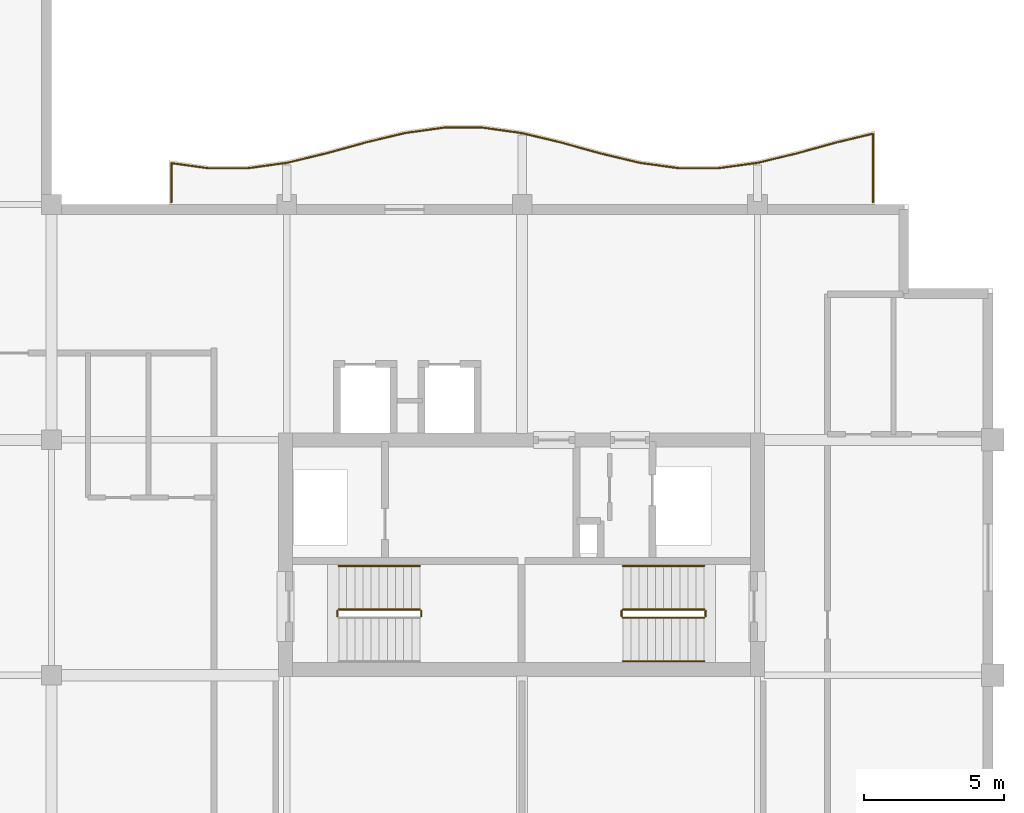
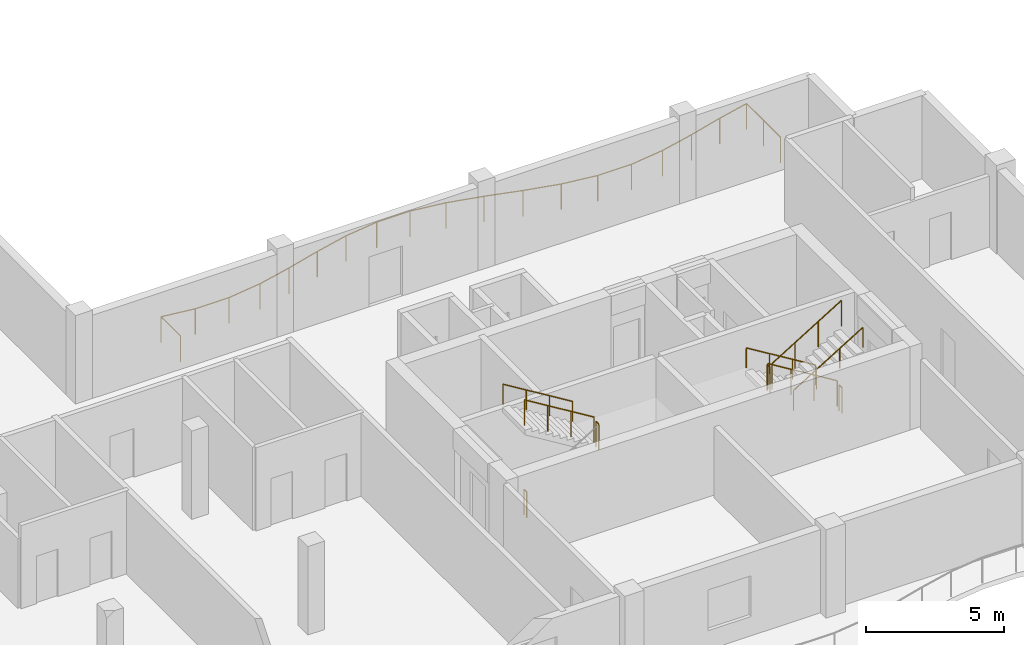
# One storey, part 9 of 10: 11 railings.
"""IFC4 building model written with IfcOpenShell, lengths in metres."""

from ifc_helpers import new_model, si_unit, direction, frame, origin, origin_2d, place, context, subcontext, project, spatial, circle, extrude, material, type_object, element, save


model = new_model("IFC4")

# Units and contexts
model_context = context("Model", 3, precision=1e-05, world=origin(), true_north=direction((0.0, 1.0)))
body_context = subcontext(model_context, "Body", "Model", "MODEL_VIEW")
ifc_project = project(units=[si_unit("LENGTHUNIT", "METRE"), si_unit("AREAUNIT", "SQUARE_METRE"), si_unit("VOLUMEUNIT", "CUBIC_METRE"), si_unit("PLANEANGLEUNIT", "RADIAN"), si_unit("MASSUNIT", "GRAM", prefix="KILO")], contexts=[model_context])

# Site, building, storey
site_placement = place(None, origin())
site = spatial("IfcSite", under=ifc_project, at=site_placement, CompositionType="ELEMENT")
building_placement = place(site_placement, origin())
building = spatial("IfcBuilding", under=site, at=building_placement, Name="Koriwani Terraces Tower", CompositionType="ELEMENT")
storey_placement = place(building_placement, frame((0.0, 0.0, 304.699951171875)))
storey = spatial("IfcBuildingStorey", under=building, at=storey_placement, Name="L75", CompositionType="ELEMENT", Elevation=304.699951171875)

# Railings
ifc_material = material(Name="Steel ASTM A572 Grade 50", Category="steel")
railing_type_1 = type_object("IfcRailingType", Name="GUARD_BALUSTRADE_1150", PredefinedType="BALUSTRADE", material=ifc_material)
railing_1_placement = place(storey_placement, frame((62.919921875, 33.679931640625, 0.0)))
element("IfcRailing", 1, at=railing_1_placement, inside=storey, type_object=railing_type_1, Name="L75 Balcony Perimeter Safety Balustrade (NE)", PredefinedType="BALUSTRADE", context=body_context, shape_type="SweptSolid", body=[
    extrude(circle(Radius=0.02392578125, at=origin_2d()), frame((0.0, 0.0, 1.1259765625), z_axis=(0.0, 1.0, 0.0), x_axis=(-1.0, 0.0, 0.0)), (0.0, 0.0, 1.0), 2.448974609375),
    extrude(circle(Radius=0.02392578125, at=origin_2d()), frame((0.0, 2.448974609375, 1.1259765625), z_axis=(-0.972335887086, -0.233587077307, 0.0), x_axis=(0.233587077307, -0.972335887086, 0.0)), (0.0, 0.0, 1.0), 1.336669921875),
    extrude(circle(Radius=0.02392578125, at=origin_2d()), frame((-1.2998046875, 2.13671875, 1.1259765625), z_axis=(-0.963650193341, -0.26716718525, 0.0), x_axis=(0.26716718525, -0.963650193341, 0.0)), (0.0, 0.0, 1.0), 1.452880859375),
    extrude(circle(Radius=0.02392578125, at=origin_2d()), frame((-2.699951171875, 1.74853515625, 1.1259765625), z_axis=(-0.972404167631, -0.233302667738, 0.0), x_axis=(0.233302667738, -0.972404167631, 0.0)), (0.0, 0.0, 1.0), 1.445068359375),
    extrude(circle(Radius=0.02392578125, at=origin_2d()), frame((-4.105224609375, 1.411376953125, 1.1259765625), z_axis=(-0.990531206111, -0.137287762455, 0.0), x_axis=(0.137287762455, -0.990531206111, 0.0)), (0.0, 0.0, 1.0), 1.422607421875),
    extrude(circle(Radius=0.02392578125, at=origin_2d()), frame((-5.514404296875, 1.216064453125, 1.1259765625), z_axis=(-1.0, 0.0, 0.0), x_axis=(0.0, -1.0, 0.0)), (0.0, 0.0, 1.0), 1.4111328125),
    extrude(circle(Radius=0.02392578125, at=origin_2d()), frame((-6.925537109375, 1.216064453125, 1.1259765625), z_axis=(-0.990531206111, 0.137287762455, 0.0), x_axis=(-0.137287762455, -0.990531206111, 0.0)), (0.0, 0.0, 1.0), 1.422607421875),
    extrude(circle(Radius=0.02392578125, at=origin_2d()), frame((-8.334716796875, 1.411376953125, 1.1259765625), z_axis=(-0.972404167631, 0.233302667738, 0.0), x_axis=(-0.233302667738, -0.972404167631, 0.0)), (0.0, 0.0, 1.0), 1.445068359375),
    extrude(circle(Radius=0.02392578125, at=origin_2d()), frame((-9.739990234375, 1.74853515625, 1.1259765625), z_axis=(-0.963638196753, 0.267210452187, 0.0), x_axis=(-0.267210452187, -0.963638196753, 0.0)), (0.0, 0.0, 1.0), 1.45263671875),
    extrude(circle(Radius=0.02392578125, at=origin_2d()), frame((-11.139892578125, 2.13671875, 1.1259765625), z_axis=(-0.972362581689, 0.23347592966, 0.0), x_axis=(-0.23347592966, -0.972362581689, 0.0)), (0.0, 0.0, 1.0), 1.4345703125),
    extrude(circle(Radius=0.02392578125, at=origin_2d()), frame((-12.534912109375, 2.4716796875, 1.1259765625), z_axis=(-0.990518583157, 0.137378806302, 0.0), x_axis=(-0.137378806302, -0.990518583157, 0.0)), (0.0, 0.0, 1.0), 1.404052734375),
    extrude(circle(Radius=0.02392578125, at=origin_2d()), frame((-13.925537109375, 2.66455078125, 1.1259765625), z_axis=(-1.0, 0.0, 0.0), x_axis=(0.0, -1.0, 0.0)), (0.0, 0.0, 1.0), 1.388916015625),
    extrude(circle(Radius=0.02392578125, at=origin_2d()), frame((-15.314453125, 2.66455078125, 1.1259765625), z_axis=(-0.990518583157, -0.137378806302, 0.0), x_axis=(0.137378806302, -0.990518583157, 0.0)), (0.0, 0.0, 1.0), 1.404052734375),
    extrude(circle(Radius=0.02392578125, at=origin_2d()), frame((-16.705078125, 2.4716796875, 1.1259765625), z_axis=(-0.972353303141, -0.233514568862, 0.0), x_axis=(0.233514568862, -0.972353303141, 0.0)), (0.0, 0.0, 1.0), 1.434326171875),
    extrude(circle(Radius=0.02392578125, at=origin_2d()), frame((-18.099853515625, 2.13671875, 1.1259765625), z_axis=(-0.963650193341, -0.26716718525, 0.0), x_axis=(0.26716718525, -0.963650193341, 0.0)), (0.0, 0.0, 1.0), 1.452880859375),
    extrude(circle(Radius=0.02392578125, at=origin_2d()), frame((-19.5, 1.74853515625, 1.1259765625), z_axis=(-0.972394970075, -0.233340999769, 0.0), x_axis=(0.233340999769, -0.972394970075, 0.0)), (0.0, 0.0, 1.0), 1.44482421875),
    extrude(circle(Radius=0.02392578125, at=origin_2d()), frame((-20.905029296875, 1.411376953125, 1.1259765625), z_axis=(-0.990534439774, -0.137264429555, 0.0), x_axis=(0.137264429555, -0.990534439774, 0.0)), (0.0, 0.0, 1.0), 1.4228515625),
    extrude(circle(Radius=0.02392578125, at=origin_2d()), frame((-22.314453125, 1.216064453125, 1.1259765625), z_axis=(-1.0, 0.0, 0.0), x_axis=(0.0, -1.0, 0.0)), (0.0, 0.0, 1.0), 1.410888671875),
    extrude(circle(Radius=0.02392578125, at=origin_2d()), frame((-23.725341796875, 1.216064453125, 1.1259765625), z_axis=(-0.99056523946, 0.137041987632, 0.0), x_axis=(-0.137041987632, -0.99056523946, 0.0)), (0.0, 0.0, 1.0), 1.3271484375),
    extrude(circle(Radius=0.02392578125, at=origin_2d()), frame((-25.0400390625, 1.39794921875, 1.1259765625), z_axis=(0.0, -1.0, 0.0), x_axis=(1.0, 0.0, 0.0)), (0.0, 0.0, 1.0), 1.39794921875),
    extrude(circle(Radius=0.02099609375, at=origin_2d()), origin(), (0.0, 0.0, 1.0), 1.101806640625),
    extrude(circle(Radius=0.02099609375, at=origin_2d()), frame((0.0, 1.224609375, 0.0)), (0.0, 0.0, 1.0), 1.101806640625),
    extrude(circle(Radius=0.02099609375, at=origin_2d()), frame((0.0, 2.448974609375, 0.0)), (0.0, 0.0, 1.0), 1.101806640625),
    extrude(circle(Radius=0.02099609375, at=origin_2d()), frame((-1.2998046875, 2.13671875, 0.0)), (0.0, 0.0, 1.0), 1.101806640625),
    extrude(circle(Radius=0.02099609375, at=origin_2d()), frame((-2.699951171875, 1.74853515625, 0.0)), (0.0, 0.0, 1.0), 1.101806640625),
    extrude(circle(Radius=0.02099609375, at=origin_2d()), frame((-4.105224609375, 1.411376953125, 0.0)), (0.0, 0.0, 1.0), 1.101806640625),
    extrude(circle(Radius=0.02099609375, at=origin_2d()), frame((-5.514404296875, 1.216064453125, 0.0)), (0.0, 0.0, 1.0), 1.101806640625),
    extrude(circle(Radius=0.02099609375, at=origin_2d()), frame((-6.925537109375, 1.216064453125, 0.0)), (0.0, 0.0, 1.0), 1.101806640625),
    extrude(circle(Radius=0.02099609375, at=origin_2d()), frame((-8.334716796875, 1.411376953125, 0.0)), (0.0, 0.0, 1.0), 1.101806640625),
    extrude(circle(Radius=0.02099609375, at=origin_2d()), frame((-9.739990234375, 1.74853515625, 0.0)), (0.0, 0.0, 1.0), 1.101806640625),
    extrude(circle(Radius=0.02099609375, at=origin_2d()), frame((-11.139892578125, 2.13671875, 0.0)), (0.0, 0.0, 1.0), 1.101806640625),
    extrude(circle(Radius=0.02099609375, at=origin_2d()), frame((-12.534912109375, 2.4716796875, 0.0)), (0.0, 0.0, 1.0), 1.101806640625),
    extrude(circle(Radius=0.02099609375, at=origin_2d()), frame((-13.925537109375, 2.66455078125, 0.0)), (0.0, 0.0, 1.0), 1.101806640625),
    extrude(circle(Radius=0.02099609375, at=origin_2d()), frame((-15.314453125, 2.66455078125, 0.0)), (0.0, 0.0, 1.0), 1.101806640625),
    extrude(circle(Radius=0.02099609375, at=origin_2d()), frame((-16.705078125, 2.4716796875, 0.0)), (0.0, 0.0, 1.0), 1.101806640625),
    extrude(circle(Radius=0.02099609375, at=origin_2d()), frame((-18.099853515625, 2.13671875, 0.0)), (0.0, 0.0, 1.0), 1.101806640625),
    extrude(circle(Radius=0.02099609375, at=origin_2d()), frame((-19.5, 1.74853515625, 0.0)), (0.0, 0.0, 1.0), 1.101806640625),
    extrude(circle(Radius=0.02099609375, at=origin_2d()), frame((-20.905029296875, 1.411376953125, 0.0)), (0.0, 0.0, 1.0), 1.101806640625),
    extrude(circle(Radius=0.02099609375, at=origin_2d()), frame((-22.314453125, 1.216064453125, 0.0)), (0.0, 0.0, 1.0), 1.101806640625),
    extrude(circle(Radius=0.02099609375, at=origin_2d()), frame((-23.725341796875, 1.216064453125, 0.0)), (0.0, 0.0, 1.0), 1.101806640625),
    extrude(circle(Radius=0.02099609375, at=origin_2d()), frame((-25.0400390625, 1.39794921875, 0.0)), (0.0, 0.0, 1.0), 1.101806640625),
    extrude(circle(Radius=0.02099609375, at=origin_2d()), frame((-25.0400390625, 0.0, 0.0)), (0.0, 0.0, 1.0), 1.101806640625),
])
railing_type_2 = type_object("IfcRailingType", Name="GUARD_STAIR_WELL_1120", PredefinedType="GUARDRAIL", material=ifc_material)
railing_2_placement = place(storey_placement, frame((46.800048828125, 18.89990234375, 1.949951171875)))
element("IfcRailing", 2, at=railing_2_placement, inside=storey, type_object=railing_type_2, Name="L75 ST-E1 stair guard 2", PredefinedType="GUARDRAIL", context=body_context, shape_type="SweptSolid", body=[
    extrude(circle(Radius=0.02392578125, at=origin_2d()), frame((0.0, 0.0, 1.1259765625), z_axis=(0.0, 1.0, 0.0), x_axis=(-1.0, 0.0, 0.0)), (0.0, 0.0, 1.0), 0.2001953125),
    extrude(circle(Radius=0.02099609375, at=origin_2d()), origin(), (0.0, 0.0, 1.0), 1.101806640625),
    extrude(circle(Radius=0.02099609375, at=origin_2d()), frame((0.0, 0.2001953125, 0.0)), (0.0, 0.0, 1.0), 1.101806640625),
])
railing_3_placement = place(storey_placement, frame((46.75, 19.14990234375, 2.12744140625)))
element("IfcRailing", 3, at=railing_3_placement, inside=storey, type_object=railing_type_2, Name="L75 ST-E1 stair guard 3", PredefinedType="GUARDRAIL", context=body_context, shape_type="SweptSolid", body=[
    extrude(circle(Radius=0.02392578125, at=origin_2d()), frame((0.0, 0.0, 1.1259765625), z_axis=(-0.853210801645, 0.0, 0.521566225858), x_axis=(0.0, -1.0, 0.0)), (0.0, 0.0, 1.0), 3.39892578125),
    extrude(circle(Radius=0.02099609375, at=origin_2d()), origin(), (0.0, 0.0, 1.0), 1.101806640625),
    extrude(circle(Radius=0.02099609375, at=origin_2d()), frame((-0.966552734375, 0.0, 0.5908203125)), (0.0, 0.0, 1.0), 1.101806640625),
    extrude(circle(Radius=0.02099609375, at=origin_2d()), frame((-1.933349609375, 0.0, 1.181884765625)), (0.0, 0.0, 1.0), 1.101806640625),
    extrude(circle(Radius=0.02099609375, at=origin_2d()), frame((-2.89990234375, 0.0, 1.772705078125)), (0.0, 0.0, 1.0), 1.101806640625),
])
railing_4_placement = place(storey_placement, frame((43.800048828125, 18.89990234375, 0.0)))
element("IfcRailing", 4, at=railing_4_placement, inside=storey, type_object=railing_type_2, Name="L75 ST-E1 stair guard 4", PredefinedType="GUARDRAIL", context=body_context, shape_type="SweptSolid", body=[
    extrude(circle(Radius=0.02392578125, at=origin_2d()), frame((0.0, 0.0, 1.1259765625), z_axis=(0.0, 1.0, 0.0), x_axis=(-1.0, 0.0, 0.0)), (0.0, 0.0, 1.0), 0.2001953125),
    extrude(circle(Radius=0.02099609375, at=origin_2d()), origin(), (0.0, 0.0, 1.0), 1.101806640625),
    extrude(circle(Radius=0.02099609375, at=origin_2d()), frame((0.0, 0.2001953125, 0.0)), (0.0, 0.0, 1.0), 1.101806640625),
])
railing_5_placement = place(storey_placement, frame((56.89990234375, 19.14990234375, 0.17724609375)))
element("IfcRailing", 5, at=railing_5_placement, inside=storey, type_object=railing_type_2, Name="L75 ST-E2 stair guard 1", PredefinedType="GUARDRAIL", context=body_context, shape_type="SweptSolid", body=[
    extrude(circle(Radius=0.02392578125, at=origin_2d()), frame((0.0, 0.0, 1.1259765625), z_axis=(-0.853210801645, 0.0, 0.521566225858), x_axis=(0.0, -1.0, 0.0)), (0.0, 0.0, 1.0), 3.39892578125),
    extrude(circle(Radius=0.02099609375, at=origin_2d()), origin(), (0.0, 0.0, 1.0), 1.101806640625),
    extrude(circle(Radius=0.02099609375, at=origin_2d()), frame((-0.966552734375, 0.0, 0.5908203125)), (0.0, 0.0, 1.0), 1.101806640625),
    extrude(circle(Radius=0.02099609375, at=origin_2d()), frame((-1.933349609375, 0.0, 1.181884765625)), (0.0, 0.0, 1.0), 1.101806640625),
    extrude(circle(Radius=0.02099609375, at=origin_2d()), frame((-2.89990234375, 0.0, 1.772705078125)), (0.0, 0.0, 1.0), 1.101806640625),
])
railing_6_placement = place(storey_placement, frame((53.949951171875, 19.10009765625, 1.949951171875)))
element("IfcRailing", 6, at=railing_6_placement, inside=storey, type_object=railing_type_2, Name="L75 ST-E2 stair guard 2", PredefinedType="GUARDRAIL", context=body_context, shape_type="SweptSolid", body=[
    extrude(circle(Radius=0.02392578125, at=origin_2d()), frame((0.0, 0.0, 1.1259765625), z_axis=(0.0, -1.0, 0.0), x_axis=(1.0, 0.0, 0.0)), (0.0, 0.0, 1.0), 0.2001953125),
    extrude(circle(Radius=0.02099609375, at=origin_2d()), origin(), (0.0, 0.0, 1.0), 1.101806640625),
    extrude(circle(Radius=0.02099609375, at=origin_2d()), frame((0.0, -0.2001953125, 0.0)), (0.0, 0.0, 1.0), 1.101806640625),
])
railing_7_placement = place(storey_placement, frame((54.0, 18.85009765625, 2.12744140625)))
element("IfcRailing", 7, at=railing_7_placement, inside=storey, type_object=railing_type_2, Name="L75 ST-E2 stair guard 3", PredefinedType="GUARDRAIL", context=body_context, shape_type="SweptSolid", body=[
    extrude(circle(Radius=0.02392578125, at=origin_2d()), frame((0.0, 0.0, 1.1259765625), z_axis=(0.853210801645, 0.0, 0.521566225858), x_axis=(0.0, 1.0, 0.0)), (0.0, 0.0, 1.0), 3.39892578125),
    extrude(circle(Radius=0.02099609375, at=origin_2d()), origin(), (0.0, 0.0, 1.0), 1.101806640625),
    extrude(circle(Radius=0.02099609375, at=origin_2d()), frame((0.966552734375, 0.0, 0.5908203125)), (0.0, 0.0, 1.0), 1.101806640625),
    extrude(circle(Radius=0.02099609375, at=origin_2d()), frame((1.933349609375, 0.0, 1.181884765625)), (0.0, 0.0, 1.0), 1.101806640625),
    extrude(circle(Radius=0.02099609375, at=origin_2d()), frame((2.89990234375, 0.0, 1.772705078125)), (0.0, 0.0, 1.0), 1.101806640625),
])
railing_8_placement = place(storey_placement, frame((56.949951171875, 19.10009765625, 0.0)))
element("IfcRailing", 8, at=railing_8_placement, inside=storey, type_object=railing_type_2, Name="L75 ST-E2 stair guard 4", PredefinedType="GUARDRAIL", context=body_context, shape_type="SweptSolid", body=[
    extrude(circle(Radius=0.02392578125, at=origin_2d()), frame((0.0, 0.0, 1.1259765625), z_axis=(0.0, -1.0, 0.0), x_axis=(1.0, 0.0, 0.0)), (0.0, 0.0, 1.0), 0.2001953125),
    extrude(circle(Radius=0.02099609375, at=origin_2d()), origin(), (0.0, 0.0, 1.0), 1.101806640625),
    extrude(circle(Radius=0.02099609375, at=origin_2d()), frame((0.0, -0.2001953125, 0.0)), (0.0, 0.0, 1.0), 1.101806640625),
])
railing_type_3 = type_object("IfcRailingType", Name="HANDRAIL_STAIR_920", PredefinedType="HANDRAIL", material=ifc_material)
for number, where, name in (
    (9, (46.75, 20.699951171875, 2.12744140625), "L75 ST-E1 stair handrail 2"),
    (10, (56.89990234375, 20.699951171875, 0.17724609375), "L75 ST-E2 stair handrail 1"),
):
    element("IfcRailing", number, at=place(storey_placement, frame(where)), inside=storey, type_object=railing_type_3, Name=name, PredefinedType="HANDRAIL", context=body_context, shape_type="SweptSolid", body=[
        extrude(circle(Radius=0.02392578125, at=origin_2d()), frame((0.0, 0.0, 0.8759765625), z_axis=(-0.853210801645, 0.0, 0.521566225858), x_axis=(0.0, -1.0, 0.0)), (0.0, 0.0, 1.0), 3.39892578125),
        extrude(circle(Radius=0.02099609375, at=origin_2d()), origin(), (0.0, 0.0, 1.0), 0.851806640625),
        extrude(circle(Radius=0.02099609375, at=origin_2d()), frame((-0.966552734375, 0.0, 0.5908203125)), (0.0, 0.0, 1.0), 0.851806640625),
        extrude(circle(Radius=0.02099609375, at=origin_2d()), frame((-1.933349609375, 0.0, 1.181884765625)), (0.0, 0.0, 1.0), 0.851806640625),
        extrude(circle(Radius=0.02099609375, at=origin_2d()), frame((-2.89990234375, 0.0, 1.772705078125)), (0.0, 0.0, 1.0), 0.851806640625),
    ])
railing_9_placement = place(storey_placement, frame((54.0, 17.300048828125, 2.12744140625)))
element("IfcRailing", 11, at=railing_9_placement, inside=storey, type_object=railing_type_3, Name="L75 ST-E2 stair handrail 2", PredefinedType="HANDRAIL", context=body_context, shape_type="SweptSolid", body=[
    extrude(circle(Radius=0.02392578125, at=origin_2d()), frame((0.0, 0.0, 0.8759765625), z_axis=(0.853210801645, 0.0, 0.521566225858), x_axis=(0.0, 1.0, 0.0)), (0.0, 0.0, 1.0), 3.39892578125),
    extrude(circle(Radius=0.02099609375, at=origin_2d()), origin(), (0.0, 0.0, 1.0), 0.851806640625),
    extrude(circle(Radius=0.02099609375, at=origin_2d()), frame((0.966552734375, 0.0, 0.5908203125)), (0.0, 0.0, 1.0), 0.851806640625),
    extrude(circle(Radius=0.02099609375, at=origin_2d()), frame((1.933349609375, 0.0, 1.181884765625)), (0.0, 0.0, 1.0), 0.851806640625),
    extrude(circle(Radius=0.02099609375, at=origin_2d()), frame((2.89990234375, 0.0, 1.772705078125)), (0.0, 0.0, 1.0), 0.851806640625),
])

save(model, "model.ifc")
